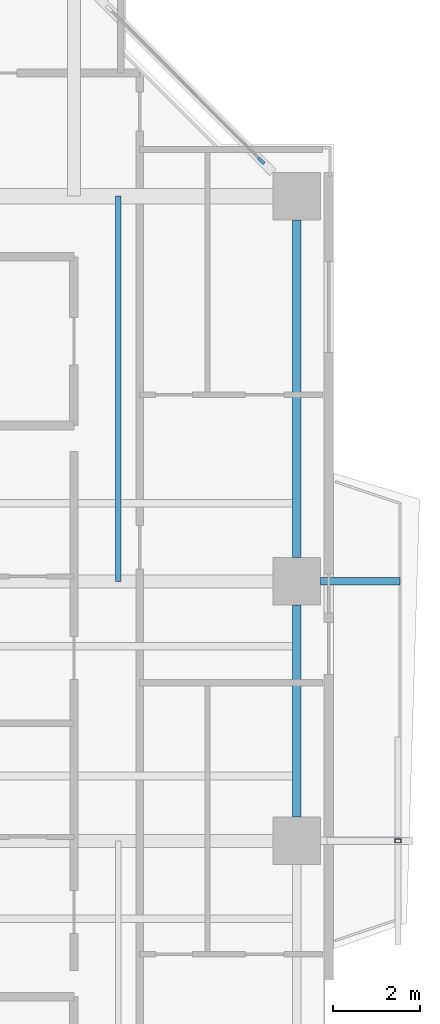
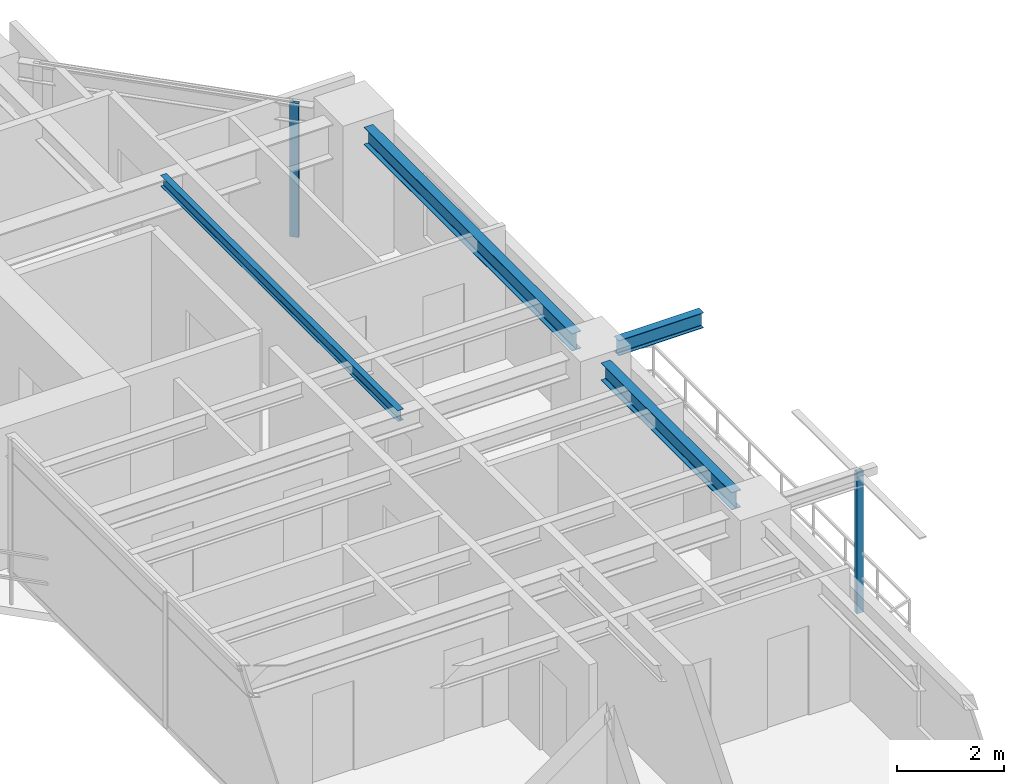
# One storey, part 7 of 17: 4 beams, 2 members, 1 element without a shape of its own.
"""IFC4 building model written with IfcOpenShell, lengths in metres."""

import ifcopenshell
import ifcopenshell.guid

model = None  # the IFC model being written
_history = None  # IfcOwnerHistory: only IFC2X3 demands one
_inside = {}  # id of a spatial element -> (the spatial element, [elements in it])
_under = {}  # id of a project, library or spatial element -> (it, [spatial elements below it])
_declared = {}  # id of a project -> (the project, [libraries it declares])
_typed = {}  # id of a type object -> (the type object, [elements of that type])
_made_of = {}  # id of a material, layer set ... -> (it, [elements and type objects made of it])


def new_model(schema):
    """Start an empty IFC model of exactly this schema.

    Asked for "IFC4X3", IfcOpenShell would pick the latest addendum, in which some entities
    have other attributes; the version numbers below select the first issue.
    IFC2X3 requires an IfcOwnerHistory on every rooted entity: one is made here for all.
    """
    global model, _history
    if schema == "IFC4X3":
        model = ifcopenshell.file(schema_version=(4, 3, 0, 0))
    else:
        model = ifcopenshell.file(schema=schema)
    _inside.clear()
    _under.clear()
    _declared.clear()
    _typed.clear()
    _made_of.clear()
    _history = None
    if model.schema == "IFC2X3":
        org = make("IfcOrganization", Name="unknown")
        user = make(
            "IfcPersonAndOrganization",
            ThePerson=make("IfcPerson", FamilyName="unknown"),
            TheOrganization=org,
        )
        app = make(
            "IfcApplication",
            ApplicationDeveloper=org,
            Version="unknown",
            ApplicationFullName="unknown",
            ApplicationIdentifier="unknown",
        )
        _history = make(
            "IfcOwnerHistory",
            OwningUser=user,
            OwningApplication=app,
            ChangeAction="ADDED",
            CreationDate=0,
        )
    return model


def make(cls, **values):
    """One entity of the class cls with the attributes given. An attribute that is None is left unset."""
    return model.create_entity(
        cls, **{name: value for name, value in values.items() if value is not None}
    )


def rooted(cls, **values):
    """An entity with a GlobalId (a new one), such as an element, a storey or a relation."""
    return make(cls, GlobalId=ifcopenshell.guid.new(), OwnerHistory=_history, **values)


def si_unit(unit_type, name, prefix=None):
    """IfcSIUnit, for example si_unit("LENGTHUNIT", "METRE", prefix="MILLI")."""
    return make("IfcSIUnit", UnitType=unit_type, Prefix=prefix, Name=name)


def assignment(units):
    """IfcUnitAssignment: the units of a project."""
    return None if units is None else make("IfcUnitAssignment", Units=units)


def point(xyz):
    """IfcCartesianPoint."""
    return None if xyz is None else make("IfcCartesianPoint", Coordinates=xyz)


def direction(xyz):
    """IfcDirection."""
    return None if xyz is None else make("IfcDirection", DirectionRatios=xyz)


def frame(location, z_axis=None, x_axis=None):
    """IfcAxis2Placement3D, a coordinate frame: its origin and axes. An axis left out is left unset."""
    return make(
        "IfcAxis2Placement3D",
        Location=point(location),
        Axis=direction(z_axis),
        RefDirection=direction(x_axis),
    )


def frame_2d(location, x_axis=None):
    """IfcAxis2Placement2D, a coordinate frame in the plane: its origin and x axis."""
    return make(
        "IfcAxis2Placement2D", Location=point(location), RefDirection=direction(x_axis)
    )


def origin():
    """The frame at (0, 0, 0) with its axes left unset."""
    return frame((0.0, 0.0, 0.0))


def origin_2d():
    """The frame at (0, 0) in the plane with its x axis left unset."""
    return frame_2d((0.0, 0.0))


def place(relative_to, where):
    """IfcLocalPlacement: puts the frame where relative to a parent placement (None: the world)."""
    return make(
        "IfcLocalPlacement", PlacementRelTo=relative_to, RelativePlacement=where
    )


def context(
    kind, dimensions, precision=None, world=None, true_north=None, identifier=None
):
    """IfcGeometricRepresentationContext, for example the 3D "Model" context."""
    return make(
        "IfcGeometricRepresentationContext",
        ContextIdentifier=identifier,
        ContextType=kind,
        CoordinateSpaceDimension=dimensions,
        Precision=precision,
        WorldCoordinateSystem=world,
        TrueNorth=true_north,
    )


def subcontext(parent, identifier, kind, view, scale=None):
    """IfcGeometricRepresentationSubContext, for example "Body" below "Model"."""
    return make(
        "IfcGeometricRepresentationSubContext",
        ContextIdentifier=identifier,
        ContextType=kind,
        ParentContext=parent,
        TargetScale=scale,
        TargetView=view,
    )


def project(units=None, contexts=None):
    """IfcProject with its units and contexts."""
    return rooted(
        "IfcProject",
        Name="project",
        RepresentationContexts=contexts,
        UnitsInContext=assignment(units),
    )


def spatial(cls, under=None, at=None, **own):
    """A site, building, storey or space (cls), placed at a placement, below another one or the project."""
    s = rooted(cls, ObjectPlacement=at, **own)
    if under is not None:
        _under.setdefault(under.id(), (under, []))[1].append(s)
    return s


def profile(cls, at=None, kind="AREA", **sizes):
    """A parametric profile (cls). Its sizes go by their IFC names, for example OverallWidth=200.0."""
    return make(cls, ProfileType=kind, Position=at, **sizes)


def rectangle(**sizes):
    """IfcRectangleProfileDef."""
    return profile("IfcRectangleProfileDef", **sizes)


def hollow_rectangle(**sizes):
    """IfcRectangleHollowProfileDef."""
    return profile("IfcRectangleHollowProfileDef", **sizes)


def i_section(**sizes):
    """IfcIShapeProfileDef."""
    return profile("IfcIShapeProfileDef", **sizes)


def extrude(swept, where, along, depth):
    """IfcExtrudedAreaSolid: the profile swept, set in the frame where, extruded along a direction by depth."""
    return make(
        "IfcExtrudedAreaSolid",
        SweptArea=swept,
        Position=where,
        ExtrudedDirection=direction(along),
        Depth=depth,
    )


def shape(context_of_items, identifier, shape_type, items):
    """IfcShapeRepresentation: the items that make up one representation, for example the "Body"."""
    return make(
        "IfcShapeRepresentation",
        ContextOfItems=context_of_items,
        RepresentationIdentifier=identifier,
        RepresentationType=shape_type,
        Items=items,
    )


def source(mapping_origin, context_of_items, identifier, shape_type, items):
    """IfcRepresentationMap: a shape defined once, which mapped items show again and again."""
    return make(
        "IfcRepresentationMap",
        MappingOrigin=mapping_origin,
        MappedRepresentation=shape(context_of_items, identifier, shape_type, items),
    )


def transform(
    local_origin,
    x_axis=None,
    y_axis=None,
    z_axis=None,
    scale=None,
    scale2=None,
    scale3=None,
    uniform=True,
):
    """IfcCartesianTransformationOperator3D, or its non-uniform kind. x_axis, y_axis, z_axis: its Axis1, 2, 3."""
    if uniform:
        return make(
            "IfcCartesianTransformationOperator3D",
            Axis1=direction(x_axis),
            Axis2=direction(y_axis),
            LocalOrigin=point(local_origin),
            Scale=scale,
            Axis3=direction(z_axis),
        )
    return make(
        "IfcCartesianTransformationOperator3DnonUniform",
        Axis1=direction(x_axis),
        Axis2=direction(y_axis),
        LocalOrigin=point(local_origin),
        Scale=scale,
        Axis3=direction(z_axis),
        Scale2=scale2,
        Scale3=scale3,
    )


def mapped(mapping_source, mapping_target):
    """IfcMappedItem: shows the shape of a source again, moved by a transform."""
    return make(
        "IfcMappedItem", MappingSource=mapping_source, MappingTarget=mapping_target
    )


def material(Name=None, Category=None):
    """IfcMaterial."""
    return make("IfcMaterial", Name=Name, Category=Category)


def layer(
    of_material, thickness, ventilated=None, Name=None, Category=None, Priority=None
):
    """IfcMaterialLayer: one layer of a wall or slab, of a material (None: an air gap)."""
    return make(
        "IfcMaterialLayer",
        Material=of_material,
        LayerThickness=thickness,
        IsVentilated=ventilated,
        Name=Name,
        Category=Category,
        Priority=Priority,
    )


def layer_set(layers, Name=None):
    """IfcMaterialLayerSet."""
    return make("IfcMaterialLayerSet", MaterialLayers=layers, LayerSetName=Name)


def material_profile(
    of_material, cross_section, Name=None, Category=None, Priority=None
):
    """IfcMaterialProfile: a cross section and its material."""
    return make(
        "IfcMaterialProfile",
        Name=Name,
        Material=of_material,
        Profile=cross_section,
        Priority=Priority,
        Category=Category,
    )


def profile_set(profiles, Name=None, composite=None):
    """IfcMaterialProfileSet."""
    return make(
        "IfcMaterialProfileSet",
        Name=Name,
        MaterialProfiles=profiles,
        CompositeProfile=composite,
    )


def made_of(thing, what):
    """Note that an element or type object is made of a material, layer set ...; save() writes the relation."""
    if what is not None:
        _made_of.setdefault(what.id(), (what, []))[1].append(thing)
    return thing


def type_object(cls, material=None, **own):
    """A type object (cls), such as IfcWallType, which elements share."""
    return made_of(rooted(cls, **own), material)


def element(
    cls,
    number,
    at=None,
    inside=None,
    cuts=None,
    type_object=None,
    material=None,
    context=None,
    identifier="Body",
    shape_type=None,
    held_by="IfcProductDefinitionShape",
    body=None,
    shapes=None,
    **own,
):
    """One element of the class cls, such as IfcWall. Its Tag is "e" and its number.

    at: its placement. inside: the storey or other place that contains it. cuts: it is an
    opening in that element (IfcRelVoidsElement). A single representation is given by context,
    identifier, shape_type and body (its items); several are given by shapes. held_by: the class
    of the entity that holds the representations. save() writes the other relations.
    """
    e = rooted(cls, Tag="e%d" % number, ObjectPlacement=at, **own)
    if body is not None:
        shapes = [shape(context, identifier, shape_type, body)]
    if shapes is not None:
        e.Representation = make(held_by, Representations=shapes)
    if inside is not None:
        _inside.setdefault(inside.id(), (inside, []))[1].append(e)
    if cuts is not None:
        rooted(
            "IfcRelVoidsElement", RelatingBuildingElement=cuts, RelatedOpeningElement=e
        )
    if type_object is not None:
        _typed.setdefault(type_object.id(), (type_object, []))[1].append(e)
    return made_of(e, material)


def aggregate(whole, parts):
    """IfcRelAggregates: a whole, such as a stair, and the parts it consists of."""
    return rooted("IfcRelAggregates", RelatingObject=whole, RelatedObjects=parts)


def save(model, path):
    """Write the relations noted so far, then the file.

    IfcRelAggregates (storeys below a building ...), IfcRelContainedInSpatialStructure (elements
    in a storey), IfcRelDefinesByType, IfcRelAssociatesMaterial and IfcRelDeclares: one each for
    every whole, place, type object, material and project.
    """
    for whole, parts in _under.values():
        aggregate(whole, parts)
    for where, things in _inside.values():
        rooted(
            "IfcRelContainedInSpatialStructure",
            RelatedElements=things,
            RelatingStructure=where,
        )
    for kind, things in _typed.values():
        rooted("IfcRelDefinesByType", RelatedObjects=things, RelatingType=kind)
    for what, things in _made_of.values():
        rooted("IfcRelAssociatesMaterial", RelatedObjects=things, RelatingMaterial=what)
    for by, libraries in _declared.values():
        rooted("IfcRelDeclares", RelatingContext=by, RelatedDefinitions=libraries)
    model.write(path)


model = new_model("IFC4")

# Units and contexts
model_context = context("Model", 3, precision=1e-05, world=origin(), true_north=direction((0.0, 1.0)))
body_context = subcontext(model_context, "Body", "Model", "MODEL_VIEW")
ifc_project = project(units=[si_unit("LENGTHUNIT", "METRE"), si_unit("AREAUNIT", "SQUARE_METRE"), si_unit("VOLUMEUNIT", "CUBIC_METRE"), si_unit("PLANEANGLEUNIT", "RADIAN"), si_unit("MASSUNIT", "GRAM", prefix="KILO"), si_unit("THERMODYNAMICTEMPERATUREUNIT", "KELVIN"), si_unit("POWERUNIT", "WATT")], contexts=[model_context])

# Site, building, storey
site_placement = place(None, origin())
site = spatial("IfcSite", under=ifc_project, at=site_placement, CompositionType="ELEMENT")
building_placement = place(site_placement, origin())
building = spatial("IfcBuilding", under=site, at=building_placement, Name="Qiaomeng Ring Towers", CompositionType="ELEMENT")
storey_placement = place(building_placement, frame((0.0, 0.0, 116.5)))
storey = spatial("IfcBuildingStorey", under=building, at=storey_placement, Name="L33", CompositionType="ELEMENT", Elevation=116.5)

# Beams
ifc_material_1 = material(Name="Steel Q355B", Category="steel")
ifc_material_profile_1 = material_profile(ifc_material_1, i_section(OverallWidth=0.199951171875, OverallDepth=0.39990234375, WebThickness=0.008056640625, FlangeThickness=0.012939453125, FilletRadius=0.01611328125, at=origin_2d()), Name="HN 400x200x8x13")
ifc_profile_set_1 = profile_set([ifc_material_profile_1], Name="Steel Q355B")
beam_type_1 = type_object("IfcBeamType", Name="STR-BM-HN400", PredefinedType="SPANDREL", material=ifc_profile_set_1)
shared_shape_1 = source(origin(), body_context, "Body", "SweptSolid", [
    extrude(i_section(OverallWidth=0.199951171875, OverallDepth=0.39990234375, WebThickness=0.008056640625, FlangeThickness=0.012939453125, FilletRadius=0.01611328125, at=origin_2d()), origin(), (0.0, 0.0, 1.0), 7.802001953125),
])
beam_1_placement = place(storey_placement, frame((36.050048828125, 26.549072265625, 2.8701171875), z_axis=(0.0, 1.0, 0.0), x_axis=(-1.0, 0.0, 0.0)))
element("IfcBeam", 1, at=beam_1_placement, inside=storey, type_object=beam_type_1, Name="L33 beam STR-SP-L33-T1-E3-E4", PredefinedType="SPANDREL", context=body_context, shape_type="MappedRepresentation", body=[
    mapped(shared_shape_1, transform((0.0, 0.0, 0.0), x_axis=(1.0, 0.0, 0.0), y_axis=(0.0, 1.0, 0.0), z_axis=(0.0, 0.0, 1.0), scale=1.0)),
])
shared_shape_2 = source(origin(), body_context, "Body", "SweptSolid", [
    extrude(i_section(OverallWidth=0.199951171875, OverallDepth=0.39990234375, WebThickness=0.008056640625, FlangeThickness=0.012939453125, FilletRadius=0.01611328125, at=origin_2d()), origin(), (0.0, 0.0, 1.0), 4.90185546875),
])
beam_2_placement = place(storey_placement, frame((36.050048828125, 20.549072265625, 2.8701171875), z_axis=(0.0, 1.0, 0.0), x_axis=(-1.0, 0.0, 0.0)))
element("IfcBeam", 2, at=beam_2_placement, inside=storey, type_object=beam_type_1, Name="L33 beam STR-SP-L33-T1-E2-E3", PredefinedType="SPANDREL", context=body_context, shape_type="MappedRepresentation", body=[
    mapped(shared_shape_2, transform((0.0, 0.0, 0.0), x_axis=(1.0, 0.0, 0.0), y_axis=(0.0, 1.0, 0.0), z_axis=(0.0, 0.0, 1.0), scale=1.0)),
])
ifc_material_profile_2 = material_profile(ifc_material_1, i_section(OverallWidth=0.125, OverallDepth=0.25, WebThickness=0.006103515625, FlangeThickness=0.009033203125, FilletRadius=0.011962890625, at=origin_2d()), Name="HN 250x125x6x9")
ifc_profile_set_2 = profile_set([ifc_material_profile_2], Name="Steel Q355B")
beam_type_2 = type_object("IfcBeamType", Name="STR-BM-HN250", PredefinedType="JOIST", material=ifc_profile_set_2)
shared_shape_3 = source(origin(), body_context, "Body", "SweptSolid", [
    extrude(i_section(OverallWidth=0.125, OverallDepth=0.25, WebThickness=0.006103515625, FlangeThickness=0.009033203125, FilletRadius=0.011962890625, at=origin_2d()), origin(), (0.0, 0.0, 1.0), 8.89990234375),
])
beam_3_placement = place(storey_placement, frame((31.925048828125, 26.0, 2.945068359375), z_axis=(0.0, 1.0, 0.0), x_axis=(-1.0, 0.0, 0.0)))
element("IfcBeam", 3, at=beam_3_placement, inside=storey, type_object=beam_type_2, Name="L33 beam STR-JST-L33-T1C-EN", PredefinedType="JOIST", context=body_context, shape_type="MappedRepresentation", body=[
    mapped(shared_shape_3, transform((0.0, 0.0, 0.0), x_axis=(1.0, 0.0, 0.0), y_axis=(0.0, 1.0, 0.0), z_axis=(0.0, 0.0, 1.0), scale=1.0)),
])
ifc_material_profile_3 = material_profile(ifc_material_1, i_section(OverallWidth=0.175048828125, OverallDepth=0.35009765625, WebThickness=0.007080078125, FlangeThickness=0.010986328125, FilletRadius=0.013916015625, at=origin_2d()), Name="HN 350x175x7x11")
ifc_profile_set_3 = profile_set([ifc_material_profile_3], Name="Steel Q355B")
beam_type_3 = type_object("IfcBeamType", Name="STR-BM-HN350", PredefinedType="JOIST", material=ifc_profile_set_3)
shared_shape_4 = source(origin(), body_context, "Body", "SweptSolid", [
    extrude(i_section(OverallWidth=0.175048828125, OverallDepth=0.35009765625, WebThickness=0.007080078125, FlangeThickness=0.010986328125, FilletRadius=0.013916015625, at=origin_2d()), origin(), (0.0, 0.0, 1.0), 1.8408203125),
])
beam_4_placement = place(storey_placement, frame((36.59912109375, 26.0, 2.89501953125), z_axis=(1.0, 0.0, 0.0), x_axis=(0.0, 1.0, 0.0)))
element("IfcBeam", 4, at=beam_4_placement, inside=storey, type_object=beam_type_3, Name="L33 beam STR-BALBM-L33-E3", PredefinedType="JOIST", context=body_context, shape_type="MappedRepresentation", body=[
    mapped(shared_shape_4, transform((0.0, 0.0, 0.0), x_axis=(1.0, 0.0, 0.0), y_axis=(0.0, 1.0, 0.0), z_axis=(0.0, 0.0, 1.0), scale=1.0)),
])

# Curtain wall, member
ifc_material_2 = material(Name="Fluorocarbon dark-grey aluminium", Category="aluminium")
ifc_layer = layer(ifc_material_2, 0.14990234375, Name="Fluorocarbon dark-grey aluminium")
ifc_layer_set = layer_set([ifc_layer], Name="Fluorocarbon dark-grey aluminium")
curtain_wall_type = type_object("IfcCurtainWallType", Name="ARC-CW-3", PredefinedType="NOTDEFINED", material=ifc_layer_set)
curtain_wall_placement = place(storey_placement, origin())
curtain_wall = element("IfcCurtainWall", 5, at=curtain_wall_placement, inside=storey, type_object=curtain_wall_type, Name="L33 Curtain Wall CW3", PredefinedType="NOTDEFINED")
ifc_material_profile_4 = material_profile(ifc_material_2, rectangle(XDim=0.070068359375, YDim=0.179931640625, at=origin_2d()), Name="ALU MULL 70x180")
ifc_profile_set_4 = profile_set([ifc_material_profile_4], Name="Fluorocarbon dark-grey aluminium")
member_type_1 = type_object("IfcMemberType", Name="ARC-CWM-160", PredefinedType="MULLION", material=ifc_profile_set_4)
shared_shape_5 = source(origin(), body_context, "Body", "SweptSolid", [
    extrude(rectangle(XDim=0.070068359375, YDim=0.179931640625, at=origin_2d()), origin(), (0.0, 0.0, 1.0), 3.070068359375),
])
member_1_placement = place(storey_placement, frame((35.2353515625, 35.71484375, 0.0), z_axis=(0.0, 0.0, 1.0), x_axis=(-0.707106781187, -0.707106781187, 0.0)))
member_1 = element("IfcMember", 6, at=member_1_placement, type_object=member_type_1, Name="CW3 mullion 1", PredefinedType="MULLION", context=body_context, shape_type="MappedRepresentation", body=[
    mapped(shared_shape_5, transform((0.0, 0.0, 0.0), x_axis=(1.0, 0.0, 0.0), y_axis=(0.0, 1.0, 0.0), z_axis=(0.0, 0.0, 1.0), scale=1.0)),
])
aggregate(curtain_wall, [member_1])

# Member
ifc_material_3 = material(Name="Stainless steel 316", Category="steel")
ifc_material_profile_5 = material_profile(ifc_material_3, hollow_rectangle(XDim=0.090087890625, YDim=0.139892578125, WallThickness=0.0048828125, at=origin_2d()), Name="SS TRELLIS 90x140")
ifc_profile_set_5 = profile_set([ifc_material_profile_5], Name="Stainless steel 316")
member_type_2 = type_object("IfcMemberType", Name="ARC-TR-POST1", PredefinedType="STUD", material=ifc_profile_set_5)
shared_shape_6 = source(origin(), body_context, "Body", "SweptSolid", [
    extrude(hollow_rectangle(XDim=0.090087890625, YDim=0.139892578125, WallThickness=0.0048828125, at=origin_2d()), origin(), (0.0, 0.0, 1.0), 3.25),
])
member_2_placement = place(storey_placement, frame((38.389892578125, 20.0, -0.179931640625), z_axis=(0.0, 0.0, 1.0), x_axis=(0.0, 1.0, 0.0)))
element("IfcMember", 7, at=member_2_placement, inside=storey, type_object=member_type_2, Name="L33 Outer Ventilated Trellis Post E", PredefinedType="STUD", context=body_context, shape_type="MappedRepresentation", body=[
    mapped(shared_shape_6, transform((0.0, 0.0, 0.0), x_axis=(1.0, 0.0, 0.0), y_axis=(0.0, 1.0, 0.0), z_axis=(0.0, 0.0, 1.0), scale=1.0)),
])

save(model, "model.ifc")
